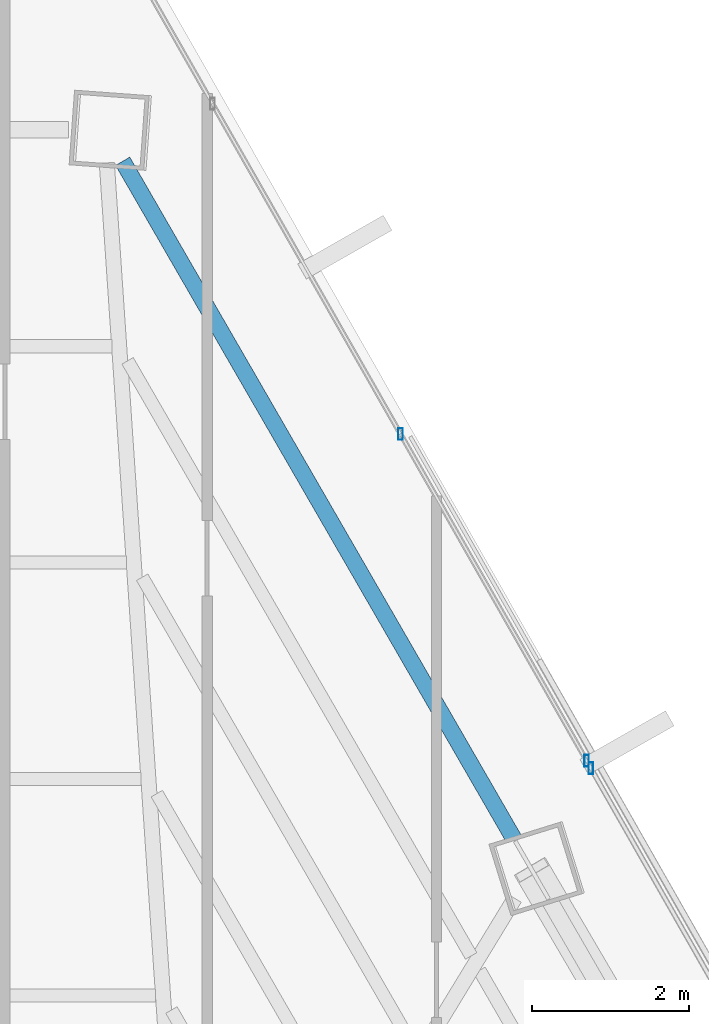
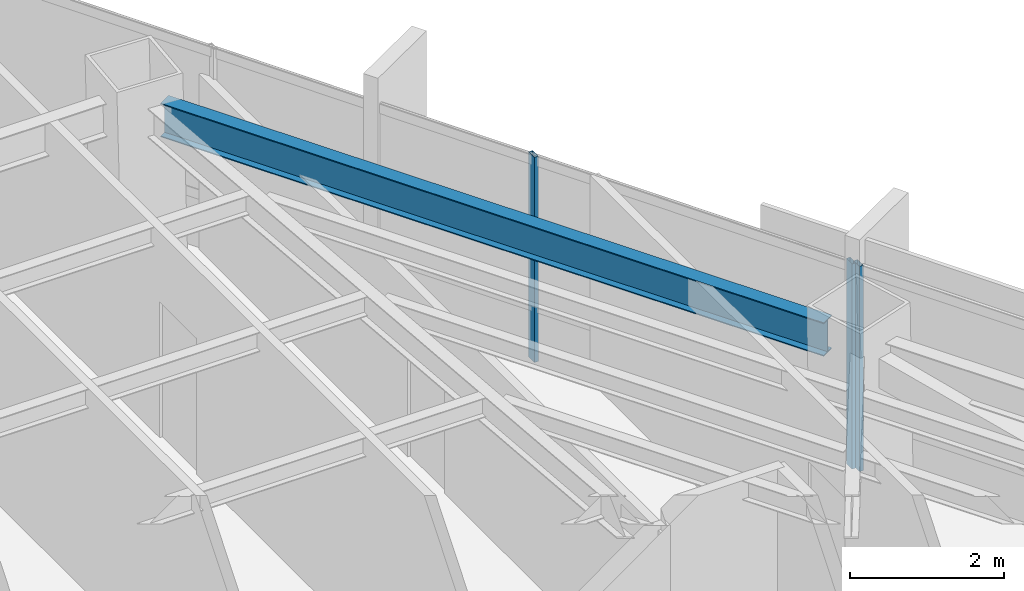
# One storey, part 31 of 40: 3 members, 1 beam, 2 elements without a shape of their own.
"""IFC4 building model written with IfcOpenShell, lengths in metres."""

from ifc_helpers import new_model, si_unit, direction, frame, origin, origin_2d, place, context, subcontext, project, spatial, hollow_rectangle, i_section, extrude, source, transform, mapped, material, material_profile, profile_set, type_object, type_shapes, element, aggregate, save


model = new_model("IFC4")

# Units and contexts
model_context = context("Model", 3, precision=1e-05, world=origin(), true_north=direction((0.0, 1.0)))
body_context = subcontext(model_context, "Body", "Model", "MODEL_VIEW")
ifc_project = project(units=[si_unit("LENGTHUNIT", "METRE"), si_unit("AREAUNIT", "SQUARE_METRE"), si_unit("VOLUMEUNIT", "CUBIC_METRE"), si_unit("PLANEANGLEUNIT", "RADIAN"), si_unit("MASSUNIT", "GRAM", prefix="KILO")], contexts=[model_context])

# Site, building, storey
site_placement = place(None, origin())
site = spatial("IfcSite", under=ifc_project, at=site_placement, CompositionType="ELEMENT")
building_placement = place(site_placement, origin())
building = spatial("IfcBuilding", under=site, at=building_placement, Name="Caelisora Broadcast Tower", CompositionType="ELEMENT")
storey_placement = place(building_placement, frame((0.0, 0.0, 146.39990234375)))
storey = spatial("IfcBuildingStorey", under=building, at=storey_placement, Name="L38", CompositionType="ELEMENT", Elevation=146.39990234375)

# Beam
ifc_material_1 = material(Name="Steel Grade 350 (AS/NZS 3679.1)", Category="steel")
ifc_material_profile_1 = material_profile(ifc_material_1, i_section(OverallWidth=0.208984375, OverallDepth=0.532958984375, WebThickness=0.01025390625, FlangeThickness=0.015625, at=origin_2d()), Name="Steel Grade 350 (AS/NZS 3679.1)")
ifc_profile_set_1 = profile_set([ifc_material_profile_1], Name="Steel Grade 350 (AS/NZS 3679.1)")
beam_type = type_object("IfcBeamType", Name="PG05", PredefinedType="BEAM", material=ifc_profile_set_1)
shared_shape_1 = source(origin(), body_context, "Body", "SweptSolid", [
    extrude(i_section(OverallWidth=0.208984375, OverallDepth=0.532958984375, WebThickness=0.01025390625, FlangeThickness=0.015625, at=origin_2d()), origin(), (0.0, 0.0, 1.0), 9.93408203125),
])
type_shapes(beam_type, [shared_shape_1])
beam_placement = place(storey_placement, frame((49.58349609375, 37.48583984375, 2.983642578125), z_axis=(-0.499995463244, 0.866028023066, 0.0), x_axis=(-0.866028023066, -0.499995463244, 0.0)))
element("IfcBeam", 1, at=beam_placement, inside=storey, type_object=beam_type, Name="L38 beam PG05", PredefinedType="BEAM", context=body_context, shape_type="MappedRepresentation", body=[
    mapped(shared_shape_1, transform((0.0, 0.0, 0.0), scale=1.0)),
])

# Curtain wall, members
ifc_material_2 = material(Name="Unitised Aluminium and Low-E Glass Curtain Wall", Category="glass")
curtain_wall_type_1 = type_object("IfcCurtainWallType", Name="CW-Z3", PredefinedType="NOTDEFINED", material=ifc_material_2)
curtain_wall_1_placement = place(storey_placement, origin())
curtain_wall_1 = element("IfcCurtainWall", 2, at=curtain_wall_1_placement, inside=storey, type_object=curtain_wall_type_1, Name="L38 curtain wall CW-Z3", PredefinedType="NOTDEFINED")
ifc_material_3 = material(Name="Aluminium 6063-T6 Anodised Terracotta Bronze", Category="aluminium")
ifc_material_profile_2 = material_profile(ifc_material_3, hollow_rectangle(XDim=0.06005859375, YDim=0.14990234375, WallThickness=0.00341796875, at=origin_2d()), Name="Aluminium 6063-T6 Anodised Terracotta Bronze")
ifc_profile_set_2 = profile_set([ifc_material_profile_2], Name="Aluminium 6063-T6 Anodised Terracotta Bronze")
member_type = type_object("IfcMemberType", Name="CWM-03", PredefinedType="MULLION", material=ifc_profile_set_2)
shared_shape_2 = source(origin(), body_context, "Body", "SweptSolid", [
    extrude(hollow_rectangle(XDim=0.06005859375, YDim=0.14990234375, WallThickness=0.00341796875, at=origin_2d()), origin(), (0.0, 0.0, 1.0), 3.25),
])
type_shapes(member_type, [shared_shape_2])
member_1_placement = place(storey_placement, frame((48.144287109375, 42.626708984375, 0.0), z_axis=(0.0, 0.0, 1.0), x_axis=(1.0, 0.0, 0.0)))
member_1 = element("IfcMember", 3, at=member_1_placement, type_object=member_type, Name="L38-CW-B01 mullion #2", PredefinedType="MULLION", context=body_context, shape_type="MappedRepresentation", body=[
    mapped(shared_shape_2, transform((0.0, 0.0, 0.0), scale=1.0)),
])
member_2_placement = place(storey_placement, frame((50.5078125, 38.47705078125, 0.0), z_axis=(0.0, 0.0, 1.0), x_axis=(1.0, 0.0, 0.0)))
member_2 = element("IfcMember", 4, at=member_2_placement, type_object=member_type, Name="L38-CW-B01 mullion #3", PredefinedType="MULLION", context=body_context, shape_type="MappedRepresentation", body=[
    mapped(shared_shape_2, transform((0.0, 0.0, 0.0), scale=1.0)),
])
aggregate(curtain_wall_1, [member_1, member_2])

# Curtain wall, member
ifc_material_4 = material(Name="Unitised Aluminium Insulated Shadow-Box Spandrel Curtain Wall", Category="aluminium")
curtain_wall_type_2 = type_object("IfcCurtainWallType", Name="CW-SP2", PredefinedType="NOTDEFINED", material=ifc_material_4)
curtain_wall_2_placement = place(storey_placement, origin())
curtain_wall_2 = element("IfcCurtainWall", 5, at=curtain_wall_2_placement, inside=storey, type_object=curtain_wall_type_2, Name="L38 curtain wall CW-SP2", PredefinedType="NOTDEFINED")
member_3_placement = place(storey_placement, frame((50.562255859375, 38.38134765625, 0.0), z_axis=(0.0, 0.0, 1.0), x_axis=(1.0, 0.0, 0.0)))
member_3 = element("IfcMember", 6, at=member_3_placement, type_object=member_type, Name="L38-CW-B02 mullion #0", PredefinedType="MULLION", context=body_context, shape_type="MappedRepresentation", body=[
    mapped(shared_shape_2, transform((0.0, 0.0, 0.0), scale=1.0)),
])
aggregate(curtain_wall_2, [member_3])

save(model, "model.ifc")
